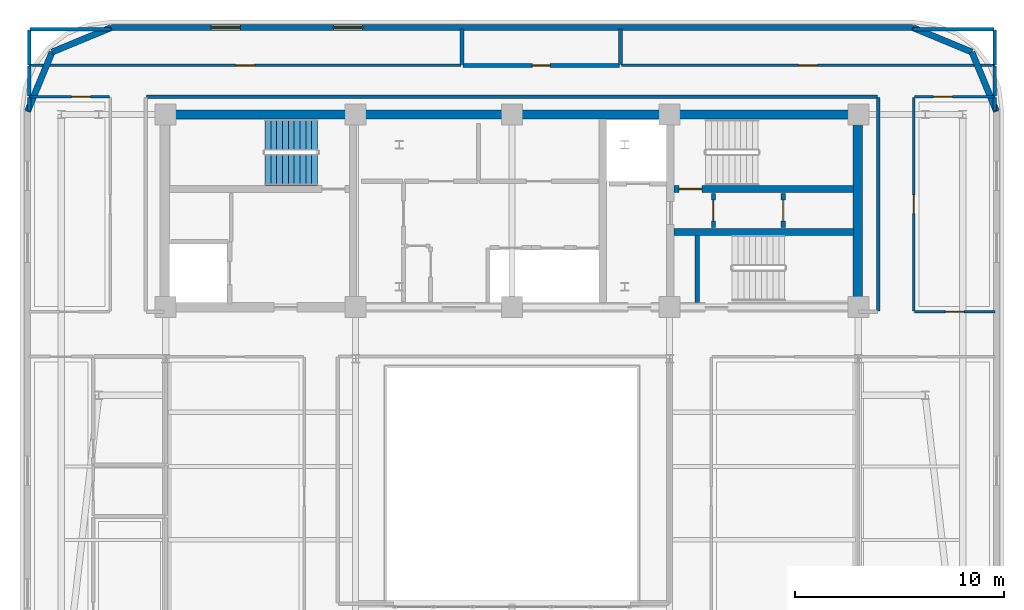
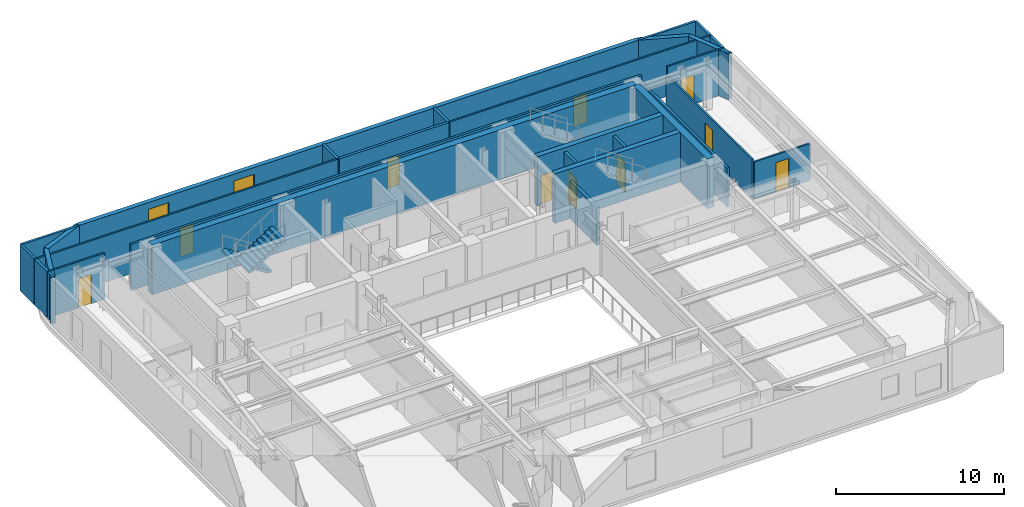
# One storey, part 9 of 14: 31 walls, 10 doors, 2 stair flights, 2 windows, 12 openings, 1 element without a shape of its own.
"""IFC4 building model written with IfcOpenShell, lengths in metres."""

from ifc_helpers import new_model, si_unit, direction, frame, frame_2d, origin, place, context, subcontext, project, spatial, polyline, rectangle, outline, extrude, material, layer, layer_set, type_object, element, fill, aggregate, save


model = new_model("IFC4")

# Units and contexts
model_context = context("Model", 3, precision=1e-05, world=origin(), true_north=direction((0.0, 1.0)))
body_context = subcontext(model_context, "Body", "Model", "MODEL_VIEW")
ifc_project = project(units=[si_unit("LENGTHUNIT", "METRE"), si_unit("AREAUNIT", "SQUARE_METRE"), si_unit("VOLUMEUNIT", "CUBIC_METRE"), si_unit("PLANEANGLEUNIT", "RADIAN"), si_unit("MASSUNIT", "GRAM", prefix="KILO")], contexts=[model_context])

# Site, building, storey
site_placement = place(None, origin())
site = spatial("IfcSite", under=ifc_project, at=site_placement, CompositionType="ELEMENT")
building_placement = place(site_placement, origin())
building = spatial("IfcBuilding", under=site, at=building_placement, Name="Zarnavel Station Tower", CompositionType="ELEMENT")
storey_placement = place(building_placement, frame((0.0, 0.0, 218.39990234375)))
storey = spatial("IfcBuildingStorey", under=building, at=storey_placement, Name="L59", CompositionType="ELEMENT", Elevation=218.39990234375)

# Wall, opening, door
ifc_material_1 = material(Name="Concrete C50/60", Category="concrete")
ifc_layer_1 = layer(ifc_material_1, 0.35009765625)
ifc_layer_set_1 = layer_set([ifc_layer_1], Name="CW_350")
wall_type_1 = type_object("IfcWallType", Name="CW_350", PredefinedType="SHEAR", material=ifc_layer_set_1)
wall_1_placement = place(storey_placement, frame((45.155029296875, 33.47998046875, 0.0), z_axis=(0.0, 0.0, 1.0), x_axis=(-1.0, 0.0, 0.0)))
wall_1 = element("IfcWall", 1, at=wall_1_placement, inside=storey, type_object=wall_type_1, Name="L59 Rear Core Shear Wall DIV-H2", PredefinedType="SHEAR", context=body_context, shape_type="SweptSolid", body=[
    extrude(rectangle(XDim=8.60009765625, YDim=0.35009765625, at=frame_2d((4.300048828125, 0.0))), origin(), (0.0, 0.0, 1.0), 3.60009765625),
])
opening_1_placement = place(wall_1_placement, frame((7.2548828125, 0.0, 0.0)))
opening_1 = element("IfcOpeningElement", 2, at=opening_1_placement, cuts=wall_1, Name="Opening FD01", PredefinedType="OPENING", context=body_context, shape_type="SweptSolid", body=[
    extrude(rectangle(XDim=1.10009765625, YDim=2.14990234375, at=frame_2d((0.550048828125, 1.074951171875))), frame((0.0, 0.18505859375, 0.0), z_axis=(0.0, -1.0, 0.0), x_axis=(1.0, 0.0, 0.0)), (0.0, 0.0, 1.0), 0.3701171875),
])
ifc_material_2 = material(Name="Painted Galvanised Steel and Hardwood Leaf", Category="steel")
door_type_1 = type_object("IfcDoorType", Name="ID_STAIR_1100", OperationType="NOTDEFINED", PredefinedType="DOOR", material=ifc_material_2)
door_1_placement = place(opening_1_placement, origin())
door_1 = element("IfcDoor", 3, at=door_1_placement, inside=storey, type_object=door_type_1, Name="L59 Stair ST2 Lobby Fire Door", OperationType="SINGLE_SWING_RIGHT", OverallHeight=2.14990234375, OverallWidth=1.10009765625, PredefinedType="DOOR", context=body_context, shape_type="SweptSolid", body=[
    extrude(rectangle(XDim=1.10009765625, YDim=2.14990234375, at=frame_2d((0.550048828125, 1.074951171875))), frame((0.0, 0.02490234375, 0.0), z_axis=(0.0, -1.0, 0.0), x_axis=(1.0, 0.0, 0.0)), (0.0, 0.0, 1.0), 0.050048828125),
])
fill(opening_1, door_1)

# Walls
wall_2_placement = place(storey_placement, frame((36.554931640625, 31.419921875, 0.0), z_axis=(0.0, 0.0, 1.0), x_axis=(1.0, 0.0, 0.0)))
element("IfcWall", 4, at=wall_2_placement, inside=storey, type_object=wall_type_1, Name="L59 Rear Core Shear Wall DIV-H3", PredefinedType="SHEAR", context=body_context, shape_type="SweptSolid", body=[
    extrude(rectangle(XDim=8.60009765625, YDim=0.35009765625, at=frame_2d((4.300048828125, 0.0))), origin(), (0.0, 0.0, 1.0), 3.60009765625),
])
ifc_material_3 = material(Name="Concrete C50/60", Category="concrete")
ifc_layer_2 = layer(ifc_material_3, 0.449951171875)
ifc_layer_set_2 = layer_set([ifc_layer_2], Name="CW_450")
wall_type_2 = type_object("IfcWallType", Name="CW_450", PredefinedType="SHEAR", material=ifc_layer_set_2)
wall_3_placement = place(storey_placement, frame((12.14990234375, 37.050048828125, 0.0), z_axis=(0.0, 0.0, 1.0), x_axis=(1.0, 0.0, 0.0)))
element("IfcWall", 5, at=wall_3_placement, inside=storey, type_object=wall_type_2, Name="L59 Rear Core Shear Wall N", PredefinedType="SHEAR", context=body_context, shape_type="SweptSolid", body=[
    extrude(rectangle(XDim=33.22998046875, YDim=0.449951171875, at=frame_2d((16.614990234375, 0.0))), origin(), (0.0, 0.0, 1.0), 3.60009765625),
])
wall_4_placement = place(storey_placement, frame((45.3798828125, 28.044921875, 0.0), z_axis=(0.0, 0.0, 1.0), x_axis=(0.0, 1.0, 0.0)))
element("IfcWall", 6, at=wall_4_placement, inside=storey, type_object=wall_type_2, Name="L59 Rear Core Shear Wall E", PredefinedType="SHEAR", context=body_context, shape_type="SweptSolid", body=[
    extrude(rectangle(XDim=8.780029296875, YDim=0.449951171875, at=frame_2d((4.39013671875, 0.0))), origin(), (0.0, 0.0, 1.0), 3.60009765625),
])
ifc_material_4 = material(Name="Precast concrete C45/55 (Dark Basalt Finish)", Category="masonry")
ifc_layer_3 = layer(ifc_material_4, 0.300048828125)
ifc_layer_set_3 = layer_set([ifc_layer_3], Name="EW_BASALT_300")
wall_type_3 = type_object("IfcWallType", Name="EW_BASALT_300", PredefinedType="SOLIDWALL", material=ifc_layer_set_3)
for number, where, z_axis, x_axis, name in (
    (7, (50.842529296875, 40.04248046875, 0.0), (0.0, 0.0, 1.0), (0.382704529509, -0.923870793506, 0.0), "L59 Exterior Basalt Masonry Frame Wall 04"),
    (8, (48.0, 41.219970703125, 0.0), (0.0, 0.0, 1.0), (0.923870793506, -0.382704529509, 0.0), "L59 Exterior Basalt Masonry Frame Wall 05"),
):
    element("IfcWall", number, at=place(storey_placement, frame(where, z_axis=z_axis, x_axis=x_axis)), inside=storey, type_object=wall_type_3, Name=name, PredefinedType="SOLIDWALL", context=body_context, shape_type="SweptSolid", body=[
        extrude(rectangle(XDim=3.07666015625, YDim=0.300048828125, at=frame_2d((1.538330078125, 0.0))), origin(), (0.0, 0.0, 1.0), 3.340087890625),
    ])

# Wall, openings, windows
wall_5_placement = place(storey_placement, frame((9.60009765625, 41.219970703125, 0.0), z_axis=(0.0, 0.0, 1.0), x_axis=(1.0, 0.0, 0.0)))
wall_5 = element("IfcWall", 9, at=wall_5_placement, inside=storey, type_object=wall_type_3, Name="L59 Exterior Basalt Masonry Frame Wall 06", PredefinedType="SOLIDWALL", context=body_context, shape_type="SweptSolid", body=[
    extrude(rectangle(XDim=38.39990234375, YDim=0.300048828125, at=frame_2d((19.199951171875, 0.0))), origin(), (0.0, 0.0, 1.0), 3.340087890625),
])
opening_2_placement = place(wall_5_placement, frame((4.780029296875, 0.0, 0.75)))
opening_2 = element("IfcOpeningElement", 10, at=opening_2_placement, cuts=wall_5, Name="Opening WN04", PredefinedType="OPENING", context=body_context, shape_type="SweptSolid", body=[
    extrude(rectangle(XDim=1.39990234375, YDim=2.10009765625, at=frame_2d((0.699951171875, 1.050048828125))), frame((0.0, 0.159912109375, 0.0), z_axis=(0.0, -1.0, 0.0), x_axis=(1.0, 0.0, 0.0)), (0.0, 0.0, 1.0), 0.320068359375),
])
opening_3_placement = place(wall_5_placement, frame((10.639892578125, 0.0, 0.75)))
opening_3 = element("IfcOpeningElement", 11, at=opening_3_placement, cuts=wall_5, Name="Opening WN04", PredefinedType="OPENING", context=body_context, shape_type="SweptSolid", body=[
    extrude(rectangle(XDim=1.39990234375, YDim=2.10009765625, at=frame_2d((0.699951171875, 1.050048828125))), frame((0.0, 0.159912109375, 0.0), z_axis=(0.0, -1.0, 0.0), x_axis=(1.0, 0.0, 0.0)), (0.0, 0.0, 1.0), 0.320068359375),
])
ifc_material_5 = material(Name="Thermally Broken Black Aluminium and Low-E Dark Glass", Category="aluminium")
window_type = type_object("IfcWindowType", Name="WN_1400x2100", PartitioningType="DOUBLE_PANEL_VERTICAL", PredefinedType="WINDOW", material=ifc_material_5)
window_1_placement = place(opening_2_placement, origin())
window_1 = element("IfcWindow", 12, at=window_1_placement, inside=storey, type_object=window_type, Name="L59 Recessed Facade Window 01", OverallHeight=2.10009765625, OverallWidth=1.39990234375, PartitioningType="SINGLE_PANEL", PredefinedType="WINDOW", context=body_context, shape_type="SweptSolid", body=[
    extrude(rectangle(XDim=1.39990234375, YDim=2.10009765625, at=frame_2d((0.699951171875, 1.050048828125))), frame((0.0, 0.030029296875, 0.0), z_axis=(0.0, -1.0, 0.0), x_axis=(1.0, 0.0, 0.0)), (0.0, 0.0, 1.0), 0.06005859375),
])
fill(opening_2, window_1)
window_2_placement = place(opening_3_placement, origin())
window_2 = element("IfcWindow", 13, at=window_2_placement, inside=storey, type_object=window_type, Name="L59 Recessed Facade Window 02", OverallHeight=2.10009765625, OverallWidth=1.39990234375, PartitioningType="SINGLE_PANEL", PredefinedType="WINDOW", context=body_context, shape_type="SweptSolid", body=[
    extrude(rectangle(XDim=1.39990234375, YDim=2.10009765625, at=frame_2d((0.699951171875, 1.050048828125))), frame((0.0, 0.030029296875, 0.0), z_axis=(0.0, -1.0, 0.0), x_axis=(1.0, 0.0, 0.0)), (0.0, 0.0, 1.0), 0.06005859375),
])
fill(opening_3, window_2)

# Walls
wall_6_placement = place(storey_placement, frame((6.75732421875, 40.04248046875, 0.0), z_axis=(0.0, 0.0, 1.0), x_axis=(0.923882414032, 0.382676475685, 0.0)))
element("IfcWall", 14, at=wall_6_placement, inside=storey, type_object=wall_type_3, Name="L59 Exterior Basalt Masonry Frame Wall 07", PredefinedType="SOLIDWALL", context=body_context, shape_type="SweptSolid", body=[
    extrude(rectangle(XDim=3.076904296875, YDim=0.300048828125, at=frame_2d((1.53857421875, 0.0))), origin(), (0.0, 0.0, 1.0), 3.340087890625),
])
wall_7_placement = place(storey_placement, frame((5.580078125, 37.199951171875, 0.0), z_axis=(0.0, 0.0, 1.0), x_axis=(0.382636798336, 0.92389884758, 0.0)))
element("IfcWall", 15, at=wall_7_placement, inside=storey, type_object=wall_type_3, Name="L59 Exterior Basalt Masonry Frame Wall 08", PredefinedType="SOLIDWALL", context=body_context, shape_type="SweptSolid", body=[
    extrude(rectangle(XDim=3.07666015625, YDim=0.300048828125, at=frame_2d((1.538330078125, 0.0))), origin(), (0.0, 0.0, 1.0), 3.340087890625),
])
ifc_material_6 = material(Name="Gypsum Twin-Stud Acoustic Fire Partition", Category="concrete")
ifc_layer_4 = layer(ifc_material_6, 0.159912109375)
ifc_layer_set_4 = layer_set([ifc_layer_4], Name="PT_DEMISE_160")
wall_type_4 = type_object("IfcWallType", Name="PT_DEMISE_160", PredefinedType="PARTITIONING", material=ifc_layer_set_4)
wall_8_placement = place(storey_placement, frame((46.35009765625, 27.6298828125, 0.0), z_axis=(0.0, 0.0, 1.0), x_axis=(0.0, 1.0, 0.0)))
element("IfcWall", 16, at=wall_8_placement, inside=storey, type_object=wall_type_4, Name="L59 Enclosure Wall COR-E", PredefinedType="PARTITIONING", context=body_context, shape_type="SweptSolid", body=[
    extrude(rectangle(XDim=10.240234375, YDim=0.159912109375, at=frame_2d((5.1201171875, 0.0))), origin(), (0.0, 0.0, 1.0), 2.820068359375),
])
wall_9_placement = place(storey_placement, frame((11.280029296875, 37.89990234375, 0.0), z_axis=(0.0, 0.0, 1.0), x_axis=(1.0, 0.0, 0.0)))
element("IfcWall", 17, at=wall_9_placement, inside=storey, type_object=wall_type_4, Name="L59 Enclosure Wall COR-N", PredefinedType="PARTITIONING", context=body_context, shape_type="SweptSolid", body=[
    extrude(rectangle(XDim=35.0400390625, YDim=0.159912109375, at=frame_2d((17.52001953125, 0.0))), origin(), (0.0, 0.0, 1.0), 3.340087890625),
])
for number, where, z_axis, x_axis, name in (
    (18, (5.659912109375, 37.929931640625, 0.0), (0.0, 0.0, 1.0), (0.0, 1.0, 0.0), "L59 Enclosure Wall COR-N"),
    (19, (51.93994140625, 37.929931640625, 0.0), (0.0, 0.0, 1.0), (0.0, 1.0, 0.0), "L59 Enclosure Wall COR-N"),
):
    element("IfcWall", number, at=place(storey_placement, frame(where, z_axis=z_axis, x_axis=x_axis)), inside=storey, type_object=wall_type_4, Name=name, PredefinedType="PARTITIONING", context=body_context, shape_type="SweptSolid", body=[
        extrude(rectangle(XDim=1.440185546875, YDim=0.159912109375, at=frame_2d((0.72021484375, 0.0))), origin(), (0.0, 0.0, 1.0), 3.340087890625),
    ])
for number, where, z_axis, x_axis, name in (
    (20, (5.659912109375, 37.22998046875, 0.0), (0.0, 0.0, 1.0), (0.0, 1.0, 0.0), "L59 Enclosure Wall FNW"),
    (21, (51.93994140625, 37.22998046875, 0.0), (0.0, 0.0, 1.0), (0.0, 1.0, 0.0), "L59 Enclosure Wall FNE"),
):
    element("IfcWall", number, at=place(storey_placement, frame(where, z_axis=z_axis, x_axis=x_axis)), inside=storey, type_object=wall_type_4, Name=name, PredefinedType="PARTITIONING", context=body_context, shape_type="SweptSolid", body=[
        extrude(rectangle(XDim=0.64013671875, YDim=0.159912109375, at=frame_2d((0.320068359375, 0.0))), origin(), (0.0, 0.0, 1.0), 3.340087890625),
    ])
wall_10_placement = place(storey_placement, frame((5.68994140625, 41.139892578125, 0.0), z_axis=(0.0, 0.0, 1.0), x_axis=(1.0, 0.0, 0.0)))
element("IfcWall", 22, at=wall_10_placement, inside=storey, type_object=wall_type_4, Name="L59 Enclosure Wall NSTD", PredefinedType="PARTITIONING", context=body_context, shape_type="SweptSolid", body=[
    extrude(rectangle(XDim=3.880126953125, YDim=0.159912109375, at=frame_2d((1.93994140625, 0.0))), origin(), (0.0, 0.0, 1.0), 3.340087890625),
])
wall_11_placement = place(storey_placement, frame((5.659912109375, 39.429931640625, 0.0), z_axis=(0.0, 0.0, 1.0), x_axis=(0.0, 1.0, 0.0)))
element("IfcWall", 23, at=wall_11_placement, inside=storey, type_object=wall_type_4, Name="L59 Enclosure Wall NSTD", PredefinedType="PARTITIONING", context=body_context, shape_type="SweptSolid", body=[
    extrude(rectangle(XDim=1.68017578125, YDim=0.159912109375, at=frame_2d((0.840087890625, 0.0))), origin(), (0.0, 0.0, 1.0), 3.340087890625),
])
wall_12_placement = place(storey_placement, frame((48.030029296875, 41.139892578125, 0.0), z_axis=(0.0, 0.0, 1.0), x_axis=(1.0, 0.0, 0.0)))
element("IfcWall", 24, at=wall_12_placement, inside=storey, type_object=wall_type_4, Name="L59 Enclosure Wall NSTR", PredefinedType="PARTITIONING", context=body_context, shape_type="SweptSolid", body=[
    extrude(rectangle(XDim=3.8798828125, YDim=0.159912109375, at=frame_2d((1.93994140625, 0.0))), origin(), (0.0, 0.0, 1.0), 3.340087890625),
])
wall_13_placement = place(storey_placement, frame((51.93994140625, 39.429931640625, 0.0), z_axis=(0.0, 0.0, 1.0), x_axis=(0.0, 1.0, 0.0)))
element("IfcWall", 25, at=wall_13_placement, inside=storey, type_object=wall_type_4, Name="L59 Enclosure Wall NSTR", PredefinedType="PARTITIONING", context=body_context, shape_type="SweptSolid", body=[
    extrude(rectangle(XDim=1.68017578125, YDim=0.159912109375, at=frame_2d((0.840087890625, 0.0))), origin(), (0.0, 0.0, 1.0), 3.340087890625),
])

# Wall, opening, door
ifc_material_7 = material(Name="Gypsum Metal-Stud Interior Partition", Category="concrete")
ifc_layer_5 = layer(ifc_material_7, 0.1201171875)
ifc_layer_set_5 = layer_set([ifc_layer_5], Name="PT_ROOM_120")
wall_type_5 = type_object("IfcWallType", Name="PT_ROOM_120", PredefinedType="PARTITIONING", material=ifc_layer_set_5)
wall_14_placement = place(storey_placement, frame((48.090087890625, 27.60009765625, 0.0), z_axis=(0.0, 0.0, 1.0), x_axis=(1.0, 0.0, 0.0)))
wall_14 = element("IfcWall", 26, at=wall_14_placement, inside=storey, type_object=wall_type_5, Name="L59 Partition COR-S-FNE", PredefinedType="PARTITIONING", context=body_context, shape_type="SweptSolid", body=[
    extrude(rectangle(XDim=3.849853515625, YDim=0.1201171875, at=frame_2d((1.9248046875, 0.0))), origin(), (0.0, 0.0, 1.0), 2.670166015625),
])
opening_4_placement = place(wall_14_placement, frame((1.47509765625, 0.0, 0.0)))
opening_4 = element("IfcOpeningElement", 27, at=opening_4_placement, cuts=wall_14, Name="Opening ID01", PredefinedType="OPENING", context=body_context, shape_type="SweptSolid", body=[
    extrude(rectangle(XDim=0.89990234375, YDim=2.10009765625, at=frame_2d((0.449951171875, 1.050048828125))), frame((0.0, 0.070068359375, 0.0), z_axis=(0.0, -1.0, 0.0), x_axis=(1.0, 0.0, 0.0)), (0.0, 0.0, 1.0), 0.14013671875),
])
ifc_material_8 = material(Name="Painted Galvanised Steel and Hardwood Leaf", Category="steel")
door_type_2 = type_object("IfcDoorType", Name="ID_ROOM_900", OperationType="NOTDEFINED", PredefinedType="DOOR", material=ifc_material_8)
door_2_placement = place(opening_4_placement, origin())
door_2 = element("IfcDoor", 28, at=door_2_placement, inside=storey, type_object=door_type_2, Name="L59 Door COR-S-FNE", OperationType="SINGLE_SWING_LEFT", OverallHeight=2.10009765625, OverallWidth=0.89990234375, PredefinedType="DOOR", context=body_context, shape_type="SweptSolid", body=[
    extrude(rectangle(XDim=0.89990234375, YDim=2.10009765625, at=frame_2d((0.449951171875, 1.050048828125))), frame((0.0, 0.02490234375, 0.0), z_axis=(0.0, -1.0, 0.0), x_axis=(1.0, 0.0, 0.0)), (0.0, 0.0, 1.0), 0.050048828125),
])
fill(opening_4, door_2)

wall_15_placement = place(storey_placement, frame((48.050048828125, 27.639892578125, 0.0), z_axis=(0.0, 0.0, 1.0), x_axis=(0.0, 1.0, 0.0)))
wall_15 = element("IfcWall", 29, at=wall_15_placement, inside=storey, type_object=wall_type_5, Name="L59 Partition COR-E-FNE", PredefinedType="PARTITIONING", context=body_context, shape_type="SweptSolid", body=[
    extrude(rectangle(XDim=10.22021484375, YDim=0.1201171875, at=frame_2d((5.110107421875, 0.0))), origin(), (0.0, 0.0, 1.0), 2.820068359375),
])
opening_5_placement = place(wall_15_placement, frame((4.659912109375, 0.0, 0.0)))
opening_5 = element("IfcOpeningElement", 30, at=opening_5_placement, cuts=wall_15, Name="Opening ID01", PredefinedType="OPENING", context=body_context, shape_type="SweptSolid", body=[
    extrude(rectangle(XDim=0.89990234375, YDim=2.10009765625, at=frame_2d((0.449951171875, 1.050048828125))), frame((0.0, 0.070068359375, 0.0), z_axis=(0.0, -1.0, 0.0), x_axis=(1.0, 0.0, 0.0)), (0.0, 0.0, 1.0), 0.14013671875),
])
door_3_placement = place(opening_5_placement, origin())
door_3 = element("IfcDoor", 31, at=door_3_placement, inside=storey, type_object=door_type_2, Name="L59 Door COR-E-FNE", OperationType="SINGLE_SWING_RIGHT", OverallHeight=2.10009765625, OverallWidth=0.89990234375, PredefinedType="DOOR", context=body_context, shape_type="SweptSolid", body=[
    extrude(rectangle(XDim=0.89990234375, YDim=2.10009765625, at=frame_2d((0.449951171875, 1.050048828125))), frame((0.0, 0.02490234375, 0.0), z_axis=(0.0, -1.0, 0.0), x_axis=(1.0, 0.0, 0.0)), (0.0, 0.0, 1.0), 0.050048828125),
])
fill(opening_5, door_3)

wall_16_placement = place(storey_placement, frame((5.659912109375, 37.89990234375, 0.0), z_axis=(0.0, 0.0, 1.0), x_axis=(1.0, 0.0, 0.0)))
wall_16 = element("IfcWall", 32, at=wall_16_placement, inside=storey, type_object=wall_type_5, Name="L59 Partition COR-N-FNW", PredefinedType="PARTITIONING", context=body_context, shape_type="SweptSolid", body=[
    extrude(rectangle(XDim=3.85009765625, YDim=0.1201171875, at=frame_2d((1.925048828125, 0.0))), origin(), (0.0, 0.0, 1.0), 3.340087890625),
])
opening_6_placement = place(wall_16_placement, frame((2.03125, 0.0, 0.0)))
opening_6 = element("IfcOpeningElement", 33, at=opening_6_placement, cuts=wall_16, Name="Opening ID01", PredefinedType="OPENING", context=body_context, shape_type="SweptSolid", body=[
    extrude(rectangle(XDim=0.89990234375, YDim=2.10009765625, at=frame_2d((0.449951171875, 1.050048828125))), frame((0.0, 0.070068359375, 0.0), z_axis=(0.0, -1.0, 0.0), x_axis=(1.0, 0.0, 0.0)), (0.0, 0.0, 1.0), 0.14013671875),
])
door_4_placement = place(opening_6_placement, origin())
door_4 = element("IfcDoor", 34, at=door_4_placement, inside=storey, type_object=door_type_2, Name="L59 Door COR-N-FNW", OperationType="SINGLE_SWING_LEFT", OverallHeight=2.10009765625, OverallWidth=0.89990234375, PredefinedType="DOOR", context=body_context, shape_type="SweptSolid", body=[
    extrude(rectangle(XDim=0.89990234375, YDim=2.10009765625, at=frame_2d((0.449951171875, 1.050048828125))), frame((0.0, 0.02490234375, 0.0), z_axis=(0.0, -1.0, 0.0), x_axis=(1.0, 0.0, 0.0)), (0.0, 0.0, 1.0), 0.050048828125),
])
fill(opening_6, door_4)

wall_17_placement = place(storey_placement, frame((48.090087890625, 37.89990234375, 0.0), z_axis=(0.0, 0.0, 1.0), x_axis=(1.0, 0.0, 0.0)))
wall_17 = element("IfcWall", 35, at=wall_17_placement, inside=storey, type_object=wall_type_5, Name="L59 Partition COR-N-FNE", PredefinedType="PARTITIONING", context=body_context, shape_type="SweptSolid", body=[
    extrude(rectangle(XDim=3.849853515625, YDim=0.1201171875, at=frame_2d((1.9248046875, 0.0))), origin(), (0.0, 0.0, 1.0), 3.340087890625),
])
opening_7_placement = place(wall_17_placement, frame((0.918701171875, 0.0, 0.0)))
opening_7 = element("IfcOpeningElement", 36, at=opening_7_placement, cuts=wall_17, Name="Opening ID01", PredefinedType="OPENING", context=body_context, shape_type="SweptSolid", body=[
    extrude(rectangle(XDim=0.89990234375, YDim=2.10009765625, at=frame_2d((0.449951171875, 1.050048828125))), frame((0.0, 0.070068359375, 0.0), z_axis=(0.0, -1.0, 0.0), x_axis=(1.0, 0.0, 0.0)), (0.0, 0.0, 1.0), 0.14013671875),
])
door_5_placement = place(opening_7_placement, origin())
door_5 = element("IfcDoor", 37, at=door_5_placement, inside=storey, type_object=door_type_2, Name="L59 Door COR-N-FNE", OperationType="SINGLE_SWING_RIGHT", OverallHeight=2.10009765625, OverallWidth=0.89990234375, PredefinedType="DOOR", context=body_context, shape_type="SweptSolid", body=[
    extrude(rectangle(XDim=0.89990234375, YDim=2.10009765625, at=frame_2d((0.449951171875, 1.050048828125))), frame((0.0, 0.02490234375, 0.0), z_axis=(0.0, -1.0, 0.0), x_axis=(1.0, 0.0, 0.0)), (0.0, 0.0, 1.0), 0.050048828125),
])
fill(opening_7, door_5)

wall_18_placement = place(storey_placement, frame((5.659912109375, 39.39990234375, 0.0), z_axis=(0.0, 0.0, 1.0), x_axis=(1.0, 0.0, 0.0)))
wall_18 = element("IfcWall", 38, at=wall_18_placement, inside=storey, type_object=wall_type_5, Name="L59 Partition COR-N-NSTD", PredefinedType="PARTITIONING", context=body_context, shape_type="SweptSolid", body=[
    extrude(rectangle(XDim=20.7001953125, YDim=0.1201171875, at=frame_2d((10.35009765625, 0.0))), origin(), (0.0, 0.0, 1.0), 3.340087890625),
])
opening_8_placement = place(wall_18_placement, frame((9.89990234375, 0.0, 0.0)))
opening_8 = element("IfcOpeningElement", 39, at=opening_8_placement, cuts=wall_18, Name="Opening ID01", PredefinedType="OPENING", context=body_context, shape_type="SweptSolid", body=[
    extrude(rectangle(XDim=0.89990234375, YDim=2.10009765625, at=frame_2d((0.449951171875, 1.050048828125))), frame((0.0, 0.070068359375, 0.0), z_axis=(0.0, -1.0, 0.0), x_axis=(1.0, 0.0, 0.0)), (0.0, 0.0, 1.0), 0.14013671875),
])
door_6_placement = place(opening_8_placement, origin())
door_6 = element("IfcDoor", 40, at=door_6_placement, inside=storey, type_object=door_type_2, Name="L59 Door COR-N-NSTD", OperationType="SINGLE_SWING_LEFT", OverallHeight=2.10009765625, OverallWidth=0.89990234375, PredefinedType="DOOR", context=body_context, shape_type="SweptSolid", body=[
    extrude(rectangle(XDim=0.89990234375, YDim=2.10009765625, at=frame_2d((0.449951171875, 1.050048828125))), frame((0.0, 0.02490234375, 0.0), z_axis=(0.0, -1.0, 0.0), x_axis=(1.0, 0.0, 0.0)), (0.0, 0.0, 1.0), 0.050048828125),
])
fill(opening_8, door_6)

wall_19_placement = place(storey_placement, frame((34.0400390625, 39.39990234375, 0.0), z_axis=(0.0, 0.0, 1.0), x_axis=(1.0, 0.0, 0.0)))
wall_19 = element("IfcWall", 41, at=wall_19_placement, inside=storey, type_object=wall_type_5, Name="L59 Partition COR-N-NSTR", PredefinedType="PARTITIONING", context=body_context, shape_type="SweptSolid", body=[
    extrude(rectangle(XDim=17.89990234375, YDim=0.1201171875, at=frame_2d((8.949951171875, 0.0))), origin(), (0.0, 0.0, 1.0), 3.340087890625),
])
opening_9_placement = place(wall_19_placement, frame((8.5, 0.0, 0.0)))
opening_9 = element("IfcOpeningElement", 42, at=opening_9_placement, cuts=wall_19, Name="Opening ID01", PredefinedType="OPENING", context=body_context, shape_type="SweptSolid", body=[
    extrude(rectangle(XDim=0.89990234375, YDim=2.10009765625, at=frame_2d((0.449951171875, 1.050048828125))), frame((0.0, 0.070068359375, 0.0), z_axis=(0.0, -1.0, 0.0), x_axis=(1.0, 0.0, 0.0)), (0.0, 0.0, 1.0), 0.14013671875),
])
door_7_placement = place(opening_9_placement, origin())
door_7 = element("IfcDoor", 43, at=door_7_placement, inside=storey, type_object=door_type_2, Name="L59 Door COR-N-NSTR", OperationType="SINGLE_SWING_LEFT", OverallHeight=2.10009765625, OverallWidth=0.89990234375, PredefinedType="DOOR", context=body_context, shape_type="SweptSolid", body=[
    extrude(rectangle(XDim=0.89990234375, YDim=2.10009765625, at=frame_2d((0.449951171875, 1.050048828125))), frame((0.0, 0.02490234375, 0.0), z_axis=(0.0, -1.0, 0.0), x_axis=(1.0, 0.0, 0.0)), (0.0, 0.0, 1.0), 0.050048828125),
])
fill(opening_9, door_7)

# Wall
ifc_material_9 = material(Name="Precast concrete C45/55 (Fire Shaft Blockwork)", Category="masonry")
ifc_layer_6 = layer(ifc_material_9, 0.199951171875)
ifc_layer_set_6 = layer_set([ifc_layer_6], Name="PT_SHAFT_200")
wall_type_6 = type_object("IfcWallType", Name="PT_SHAFT_200", PredefinedType="PARTITIONING", material=ifc_layer_set_6)
wall_20_placement = place(storey_placement, frame((37.679931640625, 28.044921875, 0.0), z_axis=(0.0, 0.0, 1.0), x_axis=(0.0, 1.0, 0.0)))
element("IfcWall", 44, at=wall_20_placement, inside=storey, type_object=wall_type_6, Name="L59 Stair ST3 West Shaft Wall", PredefinedType="PARTITIONING", context=body_context, shape_type="SweptSolid", body=[
    extrude(rectangle(XDim=3.205078125, YDim=0.199951171875, at=frame_2d((1.6025390625, 0.0))), origin(), (0.0, 0.0, 1.0), 2.72021484375),
])

# Wall, opening, door
wall_21_placement = place(storey_placement, frame((38.449951171875, 31.639892578125, 0.0), z_axis=(0.0, 0.0, 1.0), x_axis=(0.0, 1.0, 0.0)))
wall_21 = element("IfcWall", 45, at=wall_21_placement, inside=storey, type_object=wall_type_6, Name="L59 Partition ESTV-CEA", PredefinedType="PARTITIONING", context=body_context, shape_type="SweptSolid", body=[
    extrude(rectangle(XDim=1.6201171875, YDim=0.199951171875, at=frame_2d((0.81005859375, 0.0))), origin(), (0.0, 0.0, 1.0), 3.340087890625),
])
opening_10_placement = place(wall_21_placement, frame((0.31005859375, 0.0, 0.0)))
opening_10 = element("IfcOpeningElement", 46, at=opening_10_placement, cuts=wall_21, Name="Opening FD02", PredefinedType="OPENING", context=body_context, shape_type="SweptSolid", body=[
    extrude(rectangle(XDim=1.0, YDim=2.14990234375, at=frame_2d((0.5, 1.074951171875))), frame((0.0, 0.10986328125, 0.0), z_axis=(0.0, -1.0, 0.0), x_axis=(1.0, 0.0, 0.0)), (0.0, 0.0, 1.0), 0.219970703125),
])
ifc_material_10 = material(Name="Painted Galvanised Steel and Hardwood Leaf", Category="steel")
door_type_3 = type_object("IfcDoorType", Name="ID_ENTRY_1000", OperationType="NOTDEFINED", PredefinedType="DOOR", material=ifc_material_10)
door_8_placement = place(opening_10_placement, origin())
door_8 = element("IfcDoor", 47, at=door_8_placement, inside=storey, type_object=door_type_3, Name="L59 Door ESTV-CEA", OperationType="SINGLE_SWING_LEFT", OverallHeight=2.14990234375, OverallWidth=1.0, PredefinedType="DOOR", context=body_context, shape_type="SweptSolid", body=[
    extrude(rectangle(XDim=1.0, YDim=2.14990234375, at=frame_2d((0.5, 1.074951171875))), frame((0.0, 0.02490234375, 0.0), z_axis=(0.0, -1.0, 0.0), x_axis=(1.0, 0.0, 0.0)), (0.0, 0.0, 1.0), 0.050048828125),
])
fill(opening_10, door_8)

wall_22_placement = place(storey_placement, frame((41.800048828125, 31.639892578125, 0.0), z_axis=(0.0, 0.0, 1.0), x_axis=(0.0, 1.0, 0.0)))
wall_22 = element("IfcWall", 48, at=wall_22_placement, inside=storey, type_object=wall_type_6, Name="L59 Partition CEA-CEB", PredefinedType="PARTITIONING", context=body_context, shape_type="SweptSolid", body=[
    extrude(rectangle(XDim=1.6201171875, YDim=0.199951171875, at=frame_2d((0.81005859375, 0.0))), origin(), (0.0, 0.0, 1.0), 3.340087890625),
])
opening_11_placement = place(wall_22_placement, frame((0.31005859375, 0.0, 0.0)))
opening_11 = element("IfcOpeningElement", 49, at=opening_11_placement, cuts=wall_22, Name="Opening FD02", PredefinedType="OPENING", context=body_context, shape_type="SweptSolid", body=[
    extrude(rectangle(XDim=1.0, YDim=2.14990234375, at=frame_2d((0.5, 1.074951171875))), frame((0.0, 0.10986328125, 0.0), z_axis=(0.0, -1.0, 0.0), x_axis=(1.0, 0.0, 0.0)), (0.0, 0.0, 1.0), 0.219970703125),
])
door_9_placement = place(opening_11_placement, origin())
door_9 = element("IfcDoor", 50, at=door_9_placement, inside=storey, type_object=door_type_3, Name="L59 Door CEA-CEB", OperationType="SINGLE_SWING_RIGHT", OverallHeight=2.14990234375, OverallWidth=1.0, PredefinedType="DOOR", context=body_context, shape_type="SweptSolid", body=[
    extrude(rectangle(XDim=1.0, YDim=2.14990234375, at=frame_2d((0.5, 1.074951171875))), frame((0.0, 0.02490234375, 0.0), z_axis=(0.0, -1.0, 0.0), x_axis=(1.0, 0.0, 0.0)), (0.0, 0.0, 1.0), 0.050048828125),
])
fill(opening_11, door_9)

ifc_material_11 = material(Name="Moisture-Resistant Plumbing Chase Wall", Category="concrete")
ifc_layer_7 = layer(ifc_material_11, 0.179931640625)
ifc_layer_set_7 = layer_set([ifc_layer_7], Name="PW_PLUMB_180")
wall_type_7 = type_object("IfcWallType", Name="PW_PLUMB_180", PredefinedType="PLUMBINGWALL", material=ifc_layer_set_7)
wall_23_placement = place(storey_placement, frame((26.43994140625, 39.39990234375, 0.0), z_axis=(0.0, 0.0, 1.0), x_axis=(1.0, 0.0, 0.0)))
wall_23 = element("IfcWall", 51, at=wall_23_placement, inside=storey, type_object=wall_type_7, Name="L59 Partition COR-N-NWC", PredefinedType="PLUMBINGWALL", context=body_context, shape_type="SweptSolid", body=[
    extrude(rectangle(XDim=7.52001953125, YDim=0.179931640625, at=frame_2d((3.760009765625, 0.0))), origin(), (0.0, 0.0, 1.0), 3.340087890625),
])
opening_12_placement = place(wall_23_placement, frame((3.3349609375, 0.0, 0.0)))
opening_12 = element("IfcOpeningElement", 52, at=opening_12_placement, cuts=wall_23, Name="Opening ID02", PredefinedType="OPENING", context=body_context, shape_type="SweptSolid", body=[
    extrude(rectangle(XDim=0.85009765625, YDim=2.10009765625, at=frame_2d((0.425048828125, 1.050048828125))), frame((0.0, 0.099853515625, 0.0), z_axis=(0.0, -1.0, 0.0), x_axis=(1.0, 0.0, 0.0)), (0.0, 0.0, 1.0), 0.199951171875),
])
ifc_material_12 = material(Name="Painted Galvanised Steel and Hardwood Leaf", Category="steel")
door_type_4 = type_object("IfcDoorType", Name="ID_BATH_850", OperationType="NOTDEFINED", PredefinedType="DOOR", material=ifc_material_12)
door_10_placement = place(opening_12_placement, origin())
door_10 = element("IfcDoor", 53, at=door_10_placement, inside=storey, type_object=door_type_4, Name="L59 Door COR-N-NWC", OperationType="SINGLE_SWING_RIGHT", OverallHeight=2.10009765625, OverallWidth=0.85009765625, PredefinedType="DOOR", context=body_context, shape_type="SweptSolid", body=[
    extrude(rectangle(XDim=0.85009765625, YDim=2.10009765625, at=frame_2d((0.425048828125, 1.050048828125))), frame((0.0, 0.02490234375, 0.0), z_axis=(0.0, -1.0, 0.0), x_axis=(1.0, 0.0, 0.0)), (0.0, 0.0, 1.0), 0.050048828125),
])
fill(opening_12, door_10)

# Walls
for number, where, z_axis, x_axis, name in (
    (54, (26.39990234375, 39.43994140625, 0.0), (0.0, 0.0, 1.0), (0.0, 1.0, 0.0), "L59 Partition NSTD-NWC"),
    (55, (34.0, 39.43994140625, 0.0), (0.0, 0.0, 1.0), (0.0, 1.0, 0.0), "L59 Partition NWC-NSTR"),
):
    element("IfcWall", number, at=place(storey_placement, frame(where, z_axis=z_axis, x_axis=x_axis)), inside=storey, type_object=wall_type_7, Name=name, PredefinedType="PLUMBINGWALL", context=body_context, shape_type="SweptSolid", body=[
        extrude(rectangle(XDim=1.699951171875, YDim=0.179931640625, at=frame_2d((0.85009765625, 0.0))), origin(), (0.0, 0.0, 1.0), 3.340087890625),
    ])

# Stair, stair flights
ifc_material_13 = material(Name="Concrete C45/55", Category="concrete")
stair_type = type_object("IfcStairType", Name="ST_CORE_150", PredefinedType="HALF_TURN_STAIR", material=ifc_material_13)
stair_placement = place(storey_placement, origin())
stair = element("IfcStair", 56, at=stair_placement, inside=storey, type_object=stair_type, Name="L59 Core Exit Stair ST1", PredefinedType="HALF_TURN_STAIR")
ifc_material_14 = material(Name="Concrete C45/55", Category="concrete")
ifc_layer_8 = layer(ifc_material_14, 0.179931640625)
ifc_layer_set_8 = layer_set([ifc_layer_8], Name="ST_CORE_150_FLT")
stair_flight_type = type_object("IfcStairFlightType", Name="ST_CORE_150_FLT", PredefinedType="STRAIGHT", material=ifc_layer_set_8)
stair_flight_1_placement = place(storey_placement, frame((19.47998046875, 36.070068359375, 0.0), z_axis=(0.0, 0.0, 1.0), x_axis=(-1.0, 0.0, 0.0)))
stair_flight_1 = element("IfcStairFlight", 57, at=stair_flight_1_placement, type_object=stair_flight_type, Name="ST1 flight 1", NumberOfRisers=10, NumberOfTreads=9, PredefinedType="STRAIGHT", RiserHeight=0.18, TreadLength=0.28, context=body_context, shape_type="SweptSolid", body=[
    extrude(outline(polyline([(0.0, 0.0), (0.0, 0.179931640625), (0.280029296875, 0.179931640625), (0.280029296875, 0.360107421875), (0.56005859375, 0.360107421875), (0.56005859375, 0.5400390625), (0.840087890625, 0.5400390625), (0.840087890625, 0.719970703125), (1.1201171875, 0.719970703125), (1.1201171875, 0.89990234375), (1.39990234375, 0.89990234375), (1.39990234375, 1.080078125), (1.679931640625, 1.080078125), (1.679931640625, 1.260009765625), (1.9599609375, 1.260009765625), (1.9599609375, 1.43994140625), (2.239990234375, 1.43994140625), (2.239990234375, 1.6201171875), (2.52001953125, 1.6201171875), (2.52001953125, 1.800048828125), (2.52001953125, 1.44189453125), (0.277099609375, 0.0), (0.0, 0.0)])), frame((0.0, 0.75, 0.0), z_axis=(0.0, -1.0, 0.0), x_axis=(1.0, 0.0, 0.0)), (0.0, 0.0, 1.0), 1.5),
])
stair_flight_2_placement = place(storey_placement, frame((16.9599609375, 34.409912109375, 1.800048828125), z_axis=(0.0, 0.0, 1.0), x_axis=(1.0, 0.0, 0.0)))
stair_flight_2 = element("IfcStairFlight", 58, at=stair_flight_2_placement, type_object=stair_flight_type, Name="ST1 flight 2", NumberOfRisers=10, NumberOfTreads=9, PredefinedType="STRAIGHT", RiserHeight=0.18, TreadLength=0.28, context=body_context, shape_type="SweptSolid", body=[
    extrude(outline(polyline([(0.0, 0.0), (0.0, 0.179931640625), (0.280029296875, 0.179931640625), (0.280029296875, 0.360107421875), (0.56005859375, 0.360107421875), (0.56005859375, 0.5400390625), (0.840087890625, 0.5400390625), (0.840087890625, 0.719970703125), (1.1201171875, 0.719970703125), (1.1201171875, 0.89990234375), (1.39990234375, 0.89990234375), (1.39990234375, 1.080078125), (1.679931640625, 1.080078125), (1.679931640625, 1.260009765625), (1.9599609375, 1.260009765625), (1.9599609375, 1.43994140625), (2.239990234375, 1.43994140625), (2.239990234375, 1.6201171875), (2.52001953125, 1.6201171875), (2.52001953125, 1.800048828125), (2.52001953125, 1.44189453125), (0.277099609375, 0.0), (0.0, 0.0)])), frame((0.0, 0.75, 0.0), z_axis=(0.0, -1.0, 0.0), x_axis=(1.0, 0.0, 0.0)), (0.0, 0.0, 1.0), 1.5),
])
aggregate(stair, [stair_flight_1, stair_flight_2])

save(model, "model.ifc")
